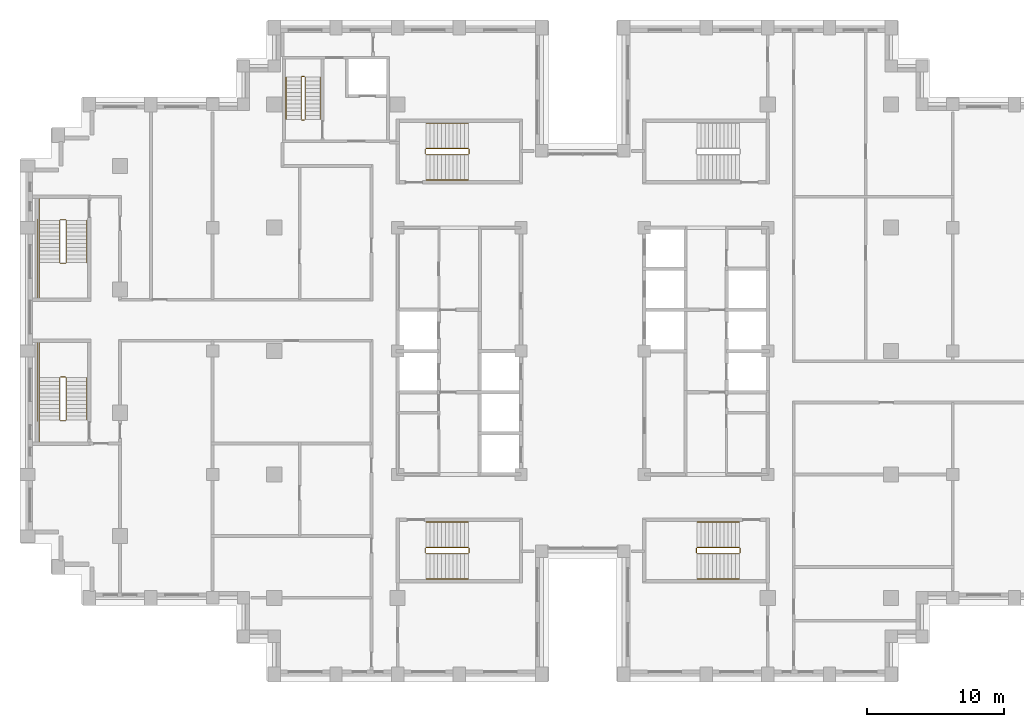
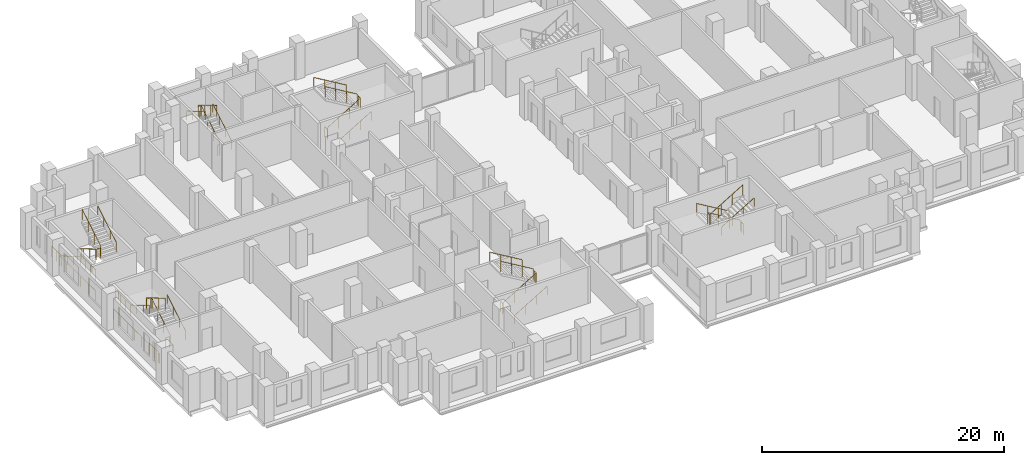
# One storey, part 14 of 15: 6 railings.
"""IFC4 building model written with IfcOpenShell, lengths in metres."""

from ifc_helpers import new_model, si_unit, direction, frame, origin, origin_2d, place, context, subcontext, project, spatial, circle, extrude, material, type_object, element, save


model = new_model("IFC4")

# Units and contexts
model_context = context("Model", 3, precision=1e-05, world=origin(), true_north=direction((0.0, 1.0)))
body_context = subcontext(model_context, "Body", "Model", "MODEL_VIEW")
ifc_project = project(units=[si_unit("LENGTHUNIT", "METRE"), si_unit("AREAUNIT", "SQUARE_METRE"), si_unit("VOLUMEUNIT", "CUBIC_METRE"), si_unit("PLANEANGLEUNIT", "RADIAN"), si_unit("MASSUNIT", "GRAM", prefix="KILO")], contexts=[model_context])

# Site, building, storey
site_placement = place(None, origin())
site = spatial("IfcSite", under=ifc_project, at=site_placement, CompositionType="ELEMENT")
building_placement = place(site_placement, origin())
building = spatial("IfcBuilding", under=site, at=building_placement, Name="Corbelhall Arena Tower", CompositionType="ELEMENT")
storey_placement = place(building_placement, frame((0.0, 0.0, 166.0)))
storey = spatial("IfcBuildingStorey", under=building, at=storey_placement, Name="L33", CompositionType="ELEMENT", Elevation=166.0)

# Railings
ifc_material = material(Name="Steel ASTM A500 Gr C", Category="steel")
railing_type = type_object("IfcRailingType", Name="IN-GD-1100", PredefinedType="GUARDRAIL", material=ifc_material)
railing_1_placement = place(storey_placement, frame((-11.425048828125, 14.324951171875, 0.166748046875)))
element("IfcRailing", 1, at=railing_1_placement, inside=storey, type_object=railing_type, Name="L33 ST1 stair guards and handrails", PredefinedType="GUARDRAIL", context=body_context, shape_type="SweptSolid", body=[
    extrude(circle(Radius=0.02392578125, at=origin_2d()), frame((0.0, 0.0, 1.076171875), z_axis=(0.859308565015, 0.0, 0.511457515432), x_axis=(0.0, 1.0, 0.0)), (0.0, 0.0, 1.0), 3.58447265625),
    extrude(circle(Radius=0.02392578125, at=origin_2d()), frame((3.130126953125, 0.050048828125, 2.9091796875), z_axis=(0.0, 1.0, 0.0), x_axis=(-1.0, 0.0, 0.0)), (0.0, 0.0, 1.0), 0.35009765625),
    extrude(circle(Radius=0.02392578125, at=origin_2d()), frame((3.080078125, 0.449951171875, 3.076171875), z_axis=(-0.859308565015, 0.0, 0.511457515432), x_axis=(0.0, -1.0, 0.0)), (0.0, 0.0, 1.0), 3.58447265625),
    extrude(circle(Radius=0.02392578125, at=origin_2d()), frame((-0.050048828125, 0.050048828125, 0.9091796875), z_axis=(0.0, 1.0, 0.0), x_axis=(-1.0, 0.0, 0.0)), (0.0, 0.0, 1.0), 0.35009765625),
    extrude(circle(Radius=0.02392578125, at=origin_2d()), frame((0.0, -1.849853515625, 0.8759765625), z_axis=(0.859308565015, 0.0, 0.511457515432), x_axis=(0.0, 1.0, 0.0)), (0.0, 0.0, 1.0), 3.58447265625),
    extrude(circle(Radius=0.02392578125, at=origin_2d()), frame((3.080078125, 2.300048828125, 2.8759765625), z_axis=(-0.859308565015, 0.0, 0.511457515432), x_axis=(0.0, -1.0, 0.0)), (0.0, 0.0, 1.0), 3.58447265625),
    extrude(circle(Radius=0.02099609375, at=origin_2d()), origin(), (0.0, 0.0, 1.0), 1.052001953125),
    extrude(circle(Radius=0.02099609375, at=origin_2d()), frame((1.026611328125, 0.0, 0.611083984375)), (0.0, 0.0, 1.0), 1.052001953125),
    extrude(circle(Radius=0.02099609375, at=origin_2d()), frame((2.053466796875, 0.0, 1.22216796875)), (0.0, 0.0, 1.0), 1.052001953125),
    extrude(circle(Radius=0.02099609375, at=origin_2d()), frame((3.080078125, 0.0, 1.833251953125)), (0.0, 0.0, 1.0), 1.052001953125),
    extrude(circle(Radius=0.02099609375, at=origin_2d()), frame((3.130126953125, 0.050048828125, 1.833251953125)), (0.0, 0.0, 1.0), 1.052001953125),
    extrude(circle(Radius=0.02099609375, at=origin_2d()), frame((3.130126953125, 0.400146484375, 1.833251953125)), (0.0, 0.0, 1.0), 1.052001953125),
    extrude(circle(Radius=0.02099609375, at=origin_2d()), frame((3.080078125, 0.449951171875, 2.0)), (0.0, 0.0, 1.0), 1.052001953125),
    extrude(circle(Radius=0.02099609375, at=origin_2d()), frame((2.053466796875, 0.449951171875, 2.611083984375)), (0.0, 0.0, 1.0), 1.052001953125),
    extrude(circle(Radius=0.02099609375, at=origin_2d()), frame((1.026611328125, 0.449951171875, 3.22216796875)), (0.0, 0.0, 1.0), 1.052001953125),
    extrude(circle(Radius=0.02099609375, at=origin_2d()), frame((0.0, 0.449951171875, 3.833251953125)), (0.0, 0.0, 1.0), 1.052001953125),
    extrude(circle(Radius=0.02099609375, at=origin_2d()), frame((-0.050048828125, 0.050048828125, -0.166748046875)), (0.0, 0.0, 1.0), 1.052001953125),
    extrude(circle(Radius=0.02099609375, at=origin_2d()), frame((-0.050048828125, 0.400146484375, -0.166748046875)), (0.0, 0.0, 1.0), 1.052001953125),
    extrude(circle(Radius=0.02099609375, at=origin_2d()), frame((0.0, -1.849853515625, 0.0)), (0.0, 0.0, 1.0), 0.851806640625),
    extrude(circle(Radius=0.02099609375, at=origin_2d()), frame((1.026611328125, -1.849853515625, 0.611083984375)), (0.0, 0.0, 1.0), 0.851806640625),
    extrude(circle(Radius=0.02099609375, at=origin_2d()), frame((2.053466796875, -1.849853515625, 1.22216796875)), (0.0, 0.0, 1.0), 0.851806640625),
    extrude(circle(Radius=0.02099609375, at=origin_2d()), frame((3.080078125, -1.849853515625, 1.833251953125)), (0.0, 0.0, 1.0), 0.851806640625),
    extrude(circle(Radius=0.02099609375, at=origin_2d()), frame((3.080078125, 2.300048828125, 2.0)), (0.0, 0.0, 1.0), 0.851806640625),
    extrude(circle(Radius=0.02099609375, at=origin_2d()), frame((2.053466796875, 2.300048828125, 2.611083984375)), (0.0, 0.0, 1.0), 0.851806640625),
    extrude(circle(Radius=0.02099609375, at=origin_2d()), frame((1.026611328125, 2.300048828125, 3.22216796875)), (0.0, 0.0, 1.0), 0.851806640625),
    extrude(circle(Radius=0.02099609375, at=origin_2d()), frame((0.0, 2.300048828125, 3.833251953125)), (0.0, 0.0, 1.0), 0.851806640625),
])
railing_2_placement = place(storey_placement, frame((-11.425048828125, -14.77490234375, 0.166748046875)))
element("IfcRailing", 2, at=railing_2_placement, inside=storey, type_object=railing_type, Name="L33 ST2 stair guards and handrails", PredefinedType="GUARDRAIL", context=body_context, shape_type="SweptSolid", body=[
    extrude(circle(Radius=0.02392578125, at=origin_2d()), frame((0.0, 0.0, 1.076171875), z_axis=(0.859308565015, 0.0, 0.511457515432), x_axis=(0.0, 1.0, 0.0)), (0.0, 0.0, 1.0), 3.58447265625),
    extrude(circle(Radius=0.02392578125, at=origin_2d()), frame((3.130126953125, 0.0498046875, 2.9091796875), z_axis=(0.0, 1.0, 0.0), x_axis=(-1.0, 0.0, 0.0)), (0.0, 0.0, 1.0), 0.35009765625),
    extrude(circle(Radius=0.02392578125, at=origin_2d()), frame((3.080078125, 0.449951171875, 3.076171875), z_axis=(-0.859308565015, 0.0, 0.511457515432), x_axis=(0.0, -1.0, 0.0)), (0.0, 0.0, 1.0), 3.58447265625),
    extrude(circle(Radius=0.02392578125, at=origin_2d()), frame((-0.050048828125, 0.0498046875, 0.9091796875), z_axis=(0.0, 1.0, 0.0), x_axis=(-1.0, 0.0, 0.0)), (0.0, 0.0, 1.0), 0.35009765625),
    extrude(circle(Radius=0.02392578125, at=origin_2d()), frame((0.0, -1.85009765625, 0.8759765625), z_axis=(0.859308565015, 0.0, 0.511457515432), x_axis=(0.0, 1.0, 0.0)), (0.0, 0.0, 1.0), 3.58447265625),
    extrude(circle(Radius=0.02392578125, at=origin_2d()), frame((3.080078125, 2.2998046875, 2.8759765625), z_axis=(-0.859308565015, 0.0, 0.511457515432), x_axis=(0.0, -1.0, 0.0)), (0.0, 0.0, 1.0), 3.58447265625),
    extrude(circle(Radius=0.02099609375, at=origin_2d()), origin(), (0.0, 0.0, 1.0), 1.052001953125),
    extrude(circle(Radius=0.02099609375, at=origin_2d()), frame((1.026611328125, 0.0, 0.611083984375)), (0.0, 0.0, 1.0), 1.052001953125),
    extrude(circle(Radius=0.02099609375, at=origin_2d()), frame((2.053466796875, 0.0, 1.22216796875)), (0.0, 0.0, 1.0), 1.052001953125),
    extrude(circle(Radius=0.02099609375, at=origin_2d()), frame((3.080078125, 0.0, 1.833251953125)), (0.0, 0.0, 1.0), 1.052001953125),
    extrude(circle(Radius=0.02099609375, at=origin_2d()), frame((3.130126953125, 0.0498046875, 1.833251953125)), (0.0, 0.0, 1.0), 1.052001953125),
    extrude(circle(Radius=0.02099609375, at=origin_2d()), frame((3.130126953125, 0.39990234375, 1.833251953125)), (0.0, 0.0, 1.0), 1.052001953125),
    extrude(circle(Radius=0.02099609375, at=origin_2d()), frame((3.080078125, 0.449951171875, 2.0)), (0.0, 0.0, 1.0), 1.052001953125),
    extrude(circle(Radius=0.02099609375, at=origin_2d()), frame((2.053466796875, 0.449951171875, 2.611083984375)), (0.0, 0.0, 1.0), 1.052001953125),
    extrude(circle(Radius=0.02099609375, at=origin_2d()), frame((1.026611328125, 0.449951171875, 3.22216796875)), (0.0, 0.0, 1.0), 1.052001953125),
    extrude(circle(Radius=0.02099609375, at=origin_2d()), frame((0.0, 0.449951171875, 3.833251953125)), (0.0, 0.0, 1.0), 1.052001953125),
    extrude(circle(Radius=0.02099609375, at=origin_2d()), frame((-0.050048828125, 0.0498046875, -0.166748046875)), (0.0, 0.0, 1.0), 1.052001953125),
    extrude(circle(Radius=0.02099609375, at=origin_2d()), frame((-0.050048828125, 0.39990234375, -0.166748046875)), (0.0, 0.0, 1.0), 1.052001953125),
    extrude(circle(Radius=0.02099609375, at=origin_2d()), frame((0.0, -1.85009765625, 0.0)), (0.0, 0.0, 1.0), 0.851806640625),
    extrude(circle(Radius=0.02099609375, at=origin_2d()), frame((1.026611328125, -1.85009765625, 0.611083984375)), (0.0, 0.0, 1.0), 0.851806640625),
    extrude(circle(Radius=0.02099609375, at=origin_2d()), frame((2.053466796875, -1.85009765625, 1.22216796875)), (0.0, 0.0, 1.0), 0.851806640625),
    extrude(circle(Radius=0.02099609375, at=origin_2d()), frame((3.080078125, -1.85009765625, 1.833251953125)), (0.0, 0.0, 1.0), 0.851806640625),
    extrude(circle(Radius=0.02099609375, at=origin_2d()), frame((3.080078125, 2.2998046875, 2.0)), (0.0, 0.0, 1.0), 0.851806640625),
    extrude(circle(Radius=0.02099609375, at=origin_2d()), frame((2.053466796875, 2.2998046875, 2.611083984375)), (0.0, 0.0, 1.0), 0.851806640625),
    extrude(circle(Radius=0.02099609375, at=origin_2d()), frame((1.026611328125, 2.2998046875, 3.22216796875)), (0.0, 0.0, 1.0), 0.851806640625),
    extrude(circle(Radius=0.02099609375, at=origin_2d()), frame((0.0, 2.2998046875, 3.833251953125)), (0.0, 0.0, 1.0), 0.851806640625),
])
railing_3_placement = place(storey_placement, frame((11.425048828125, -14.324951171875, 0.166748046875)))
element("IfcRailing", 3, at=railing_3_placement, inside=storey, type_object=railing_type, Name="L33 ST4 stair guards and handrails", PredefinedType="GUARDRAIL", context=body_context, shape_type="SweptSolid", body=[
    extrude(circle(Radius=0.02392578125, at=origin_2d()), frame((0.0, 0.0, 1.076171875), z_axis=(-0.859308565015, 0.0, 0.511457515432), x_axis=(0.0, -1.0, 0.0)), (0.0, 0.0, 1.0), 3.58447265625),
    extrude(circle(Radius=0.02392578125, at=origin_2d()), frame((-3.130126953125, -0.050048828125, 2.9091796875), z_axis=(0.0, -1.0, 0.0), x_axis=(1.0, 0.0, 0.0)), (0.0, 0.0, 1.0), 0.35009765625),
    extrude(circle(Radius=0.02392578125, at=origin_2d()), frame((-3.080078125, -0.449951171875, 3.076171875), z_axis=(0.859308565015, 0.0, 0.511457515432), x_axis=(0.0, 1.0, 0.0)), (0.0, 0.0, 1.0), 3.58447265625),
    extrude(circle(Radius=0.02392578125, at=origin_2d()), frame((0.050048828125, -0.050048828125, 0.9091796875), z_axis=(0.0, -1.0, 0.0), x_axis=(1.0, 0.0, 0.0)), (0.0, 0.0, 1.0), 0.35009765625),
    extrude(circle(Radius=0.02392578125, at=origin_2d()), frame((0.0, 1.849853515625, 0.8759765625), z_axis=(-0.859308565015, 0.0, 0.511457515432), x_axis=(0.0, -1.0, 0.0)), (0.0, 0.0, 1.0), 3.58447265625),
    extrude(circle(Radius=0.02392578125, at=origin_2d()), frame((-3.080078125, -2.300048828125, 2.8759765625), z_axis=(0.859308565015, 0.0, 0.511457515432), x_axis=(0.0, 1.0, 0.0)), (0.0, 0.0, 1.0), 3.58447265625),
    extrude(circle(Radius=0.02099609375, at=origin_2d()), origin(), (0.0, 0.0, 1.0), 1.052001953125),
    extrude(circle(Radius=0.02099609375, at=origin_2d()), frame((-1.026611328125, 0.0, 0.611083984375)), (0.0, 0.0, 1.0), 1.052001953125),
    extrude(circle(Radius=0.02099609375, at=origin_2d()), frame((-2.053466796875, 0.0, 1.22216796875)), (0.0, 0.0, 1.0), 1.052001953125),
    extrude(circle(Radius=0.02099609375, at=origin_2d()), frame((-3.080078125, 0.0, 1.833251953125)), (0.0, 0.0, 1.0), 1.052001953125),
    extrude(circle(Radius=0.02099609375, at=origin_2d()), frame((-3.130126953125, -0.050048828125, 1.833251953125)), (0.0, 0.0, 1.0), 1.052001953125),
    extrude(circle(Radius=0.02099609375, at=origin_2d()), frame((-3.130126953125, -0.400146484375, 1.833251953125)), (0.0, 0.0, 1.0), 1.052001953125),
    extrude(circle(Radius=0.02099609375, at=origin_2d()), frame((-3.080078125, -0.449951171875, 2.0)), (0.0, 0.0, 1.0), 1.052001953125),
    extrude(circle(Radius=0.02099609375, at=origin_2d()), frame((-2.053466796875, -0.449951171875, 2.611083984375)), (0.0, 0.0, 1.0), 1.052001953125),
    extrude(circle(Radius=0.02099609375, at=origin_2d()), frame((-1.026611328125, -0.449951171875, 3.22216796875)), (0.0, 0.0, 1.0), 1.052001953125),
    extrude(circle(Radius=0.02099609375, at=origin_2d()), frame((0.0, -0.449951171875, 3.833251953125)), (0.0, 0.0, 1.0), 1.052001953125),
    extrude(circle(Radius=0.02099609375, at=origin_2d()), frame((0.050048828125, -0.050048828125, -0.166748046875)), (0.0, 0.0, 1.0), 1.052001953125),
    extrude(circle(Radius=0.02099609375, at=origin_2d()), frame((0.050048828125, -0.400146484375, -0.166748046875)), (0.0, 0.0, 1.0), 1.052001953125),
    extrude(circle(Radius=0.02099609375, at=origin_2d()), frame((0.0, 1.849853515625, 0.0)), (0.0, 0.0, 1.0), 0.851806640625),
    extrude(circle(Radius=0.02099609375, at=origin_2d()), frame((-1.026611328125, 1.849853515625, 0.611083984375)), (0.0, 0.0, 1.0), 0.851806640625),
    extrude(circle(Radius=0.02099609375, at=origin_2d()), frame((-2.053466796875, 1.849853515625, 1.22216796875)), (0.0, 0.0, 1.0), 0.851806640625),
    extrude(circle(Radius=0.02099609375, at=origin_2d()), frame((-3.080078125, 1.849853515625, 1.833251953125)), (0.0, 0.0, 1.0), 0.851806640625),
    extrude(circle(Radius=0.02099609375, at=origin_2d()), frame((-3.080078125, -2.300048828125, 2.0)), (0.0, 0.0, 1.0), 0.851806640625),
    extrude(circle(Radius=0.02099609375, at=origin_2d()), frame((-2.053466796875, -2.300048828125, 2.611083984375)), (0.0, 0.0, 1.0), 0.851806640625),
    extrude(circle(Radius=0.02099609375, at=origin_2d()), frame((-1.026611328125, -2.300048828125, 3.22216796875)), (0.0, 0.0, 1.0), 0.851806640625),
    extrude(circle(Radius=0.02099609375, at=origin_2d()), frame((0.0, -2.300048828125, 3.833251953125)), (0.0, 0.0, 1.0), 0.851806640625),
])
railing_4_placement = place(storey_placement, frame((-38.14990234375, 9.52490234375, 0.166748046875)))
element("IfcRailing", 4, at=railing_4_placement, inside=storey, type_object=railing_type, Name="L33 SC1 stair guards and handrails", PredefinedType="GUARDRAIL", context=body_context, shape_type="SweptSolid", body=[
    extrude(circle(Radius=0.02392578125, at=origin_2d()), frame((0.0, 0.0, 1.076171875), z_axis=(0.0, -0.859290745958, 0.51148745235), x_axis=(1.0, 0.0, 0.0)), (0.0, 0.0, 1.0), 3.584228515625),
    extrude(circle(Radius=0.02392578125, at=origin_2d()), frame((0.0498046875, -3.1298828125, 2.9091796875), z_axis=(1.0, 0.0, 0.0), x_axis=(0.0, 1.0, 0.0)), (0.0, 0.0, 1.0), 0.375),
    extrude(circle(Radius=0.02392578125, at=origin_2d()), frame((-1.5, -3.079833984375, 2.9091796875), z_axis=(0.0, -1.0, 0.0), x_axis=(1.0, 0.0, 0.0)), (0.0, 0.0, 1.0), 2.570068359375),
    extrude(circle(Radius=0.02392578125, at=origin_2d()), frame((0.474853515625, -3.079833984375, 3.076171875), z_axis=(0.0, 0.859290745958, 0.51148745235), x_axis=(-1.0, 0.0, 0.0)), (0.0, 0.0, 1.0), 3.584228515625),
    extrude(circle(Radius=0.02392578125, at=origin_2d()), frame((0.0498046875, 0.050048828125, 0.9091796875), z_axis=(1.0, 0.0, 0.0), x_axis=(0.0, 1.0, 0.0)), (0.0, 0.0, 1.0), 0.375),
    extrude(circle(Radius=0.02392578125, at=origin_2d()), frame((-1.5, 1.60009765625, 0.9091796875), z_axis=(0.0, -1.0, 0.0), x_axis=(1.0, 0.0, 0.0)), (0.0, 0.0, 1.0), 1.60009765625),
    extrude(circle(Radius=0.02392578125, at=origin_2d()), frame((-1.60009765625, 0.10009765625, 0.9091796875), z_axis=(0.0, -1.0, 0.0), x_axis=(1.0, 0.0, 0.0)), (0.0, 0.0, 1.0), 5.85009765625),
    extrude(circle(Radius=0.02392578125, at=origin_2d()), frame((-1.5, 0.0, 0.8759765625), z_axis=(0.0, -0.859290745958, 0.51148745235), x_axis=(1.0, 0.0, 0.0)), (0.0, 0.0, 1.0), 3.584228515625),
    extrude(circle(Radius=0.02392578125, at=origin_2d()), frame((1.974853515625, -3.079833984375, 2.8759765625), z_axis=(0.0, 0.859290745958, 0.51148745235), x_axis=(-1.0, 0.0, 0.0)), (0.0, 0.0, 1.0), 3.584228515625),
    extrude(circle(Radius=0.02099609375, at=origin_2d()), origin(), (0.0, 0.0, 1.0), 1.052001953125),
    extrude(circle(Radius=0.02099609375, at=origin_2d()), frame((0.0, -1.026611328125, 0.611083984375)), (0.0, 0.0, 1.0), 1.052001953125),
    extrude(circle(Radius=0.02099609375, at=origin_2d()), frame((0.0, -2.05322265625, 1.22216796875)), (0.0, 0.0, 1.0), 1.052001953125),
    extrude(circle(Radius=0.02099609375, at=origin_2d()), frame((0.0, -3.079833984375, 1.833251953125)), (0.0, 0.0, 1.0), 1.052001953125),
    extrude(circle(Radius=0.02099609375, at=origin_2d()), frame((0.0498046875, -3.1298828125, 1.833251953125)), (0.0, 0.0, 1.0), 1.052001953125),
    extrude(circle(Radius=0.02099609375, at=origin_2d()), frame((0.4248046875, -3.1298828125, 1.833251953125)), (0.0, 0.0, 1.0), 1.052001953125),
    extrude(circle(Radius=0.02099609375, at=origin_2d()), frame((-1.5, -3.079833984375, 1.833251953125)), (0.0, 0.0, 1.0), 1.052001953125),
    extrude(circle(Radius=0.02099609375, at=origin_2d()), frame((-1.5, -3.9365234375, 1.833251953125)), (0.0, 0.0, 1.0), 1.052001953125),
    extrude(circle(Radius=0.02099609375, at=origin_2d()), frame((-1.5, -4.793212890625, 1.833251953125)), (0.0, 0.0, 1.0), 1.052001953125),
    extrude(circle(Radius=0.02099609375, at=origin_2d()), frame((-1.5, -5.64990234375, 1.833251953125)), (0.0, 0.0, 1.0), 1.052001953125),
    extrude(circle(Radius=0.02099609375, at=origin_2d()), frame((0.474853515625, -3.079833984375, 2.0)), (0.0, 0.0, 1.0), 1.052001953125),
    extrude(circle(Radius=0.02099609375, at=origin_2d()), frame((0.474853515625, -2.05322265625, 2.611083984375)), (0.0, 0.0, 1.0), 1.052001953125),
    extrude(circle(Radius=0.02099609375, at=origin_2d()), frame((0.474853515625, -1.026611328125, 3.22216796875)), (0.0, 0.0, 1.0), 1.052001953125),
    extrude(circle(Radius=0.02099609375, at=origin_2d()), frame((0.474853515625, 0.0, 3.833251953125)), (0.0, 0.0, 1.0), 1.052001953125),
    extrude(circle(Radius=0.02099609375, at=origin_2d()), frame((0.0498046875, 0.050048828125, -0.166748046875)), (0.0, 0.0, 1.0), 1.052001953125),
    extrude(circle(Radius=0.02099609375, at=origin_2d()), frame((0.4248046875, 0.050048828125, -0.166748046875)), (0.0, 0.0, 1.0), 1.052001953125),
    extrude(circle(Radius=0.02099609375, at=origin_2d()), frame((-1.5, 1.60009765625, -0.166748046875)), (0.0, 0.0, 1.0), 1.052001953125),
    extrude(circle(Radius=0.02099609375, at=origin_2d()), frame((-1.5, 0.800048828125, -0.166748046875)), (0.0, 0.0, 1.0), 1.052001953125),
    extrude(circle(Radius=0.02099609375, at=origin_2d()), frame((-1.5, 0.0, -0.166748046875)), (0.0, 0.0, 1.0), 1.052001953125),
    extrude(circle(Radius=0.02099609375, at=origin_2d()), frame((-1.60009765625, 0.10009765625, -0.166748046875)), (0.0, 0.0, 1.0), 1.052001953125),
    extrude(circle(Radius=0.02099609375, at=origin_2d()), frame((-1.60009765625, -1.06982421875, -0.166748046875)), (0.0, 0.0, 1.0), 1.052001953125),
    extrude(circle(Radius=0.02099609375, at=origin_2d()), frame((-1.60009765625, -2.239990234375, -0.166748046875)), (0.0, 0.0, 1.0), 1.052001953125),
    extrude(circle(Radius=0.02099609375, at=origin_2d()), frame((-1.60009765625, -3.409912109375, -0.166748046875)), (0.0, 0.0, 1.0), 1.052001953125),
    extrude(circle(Radius=0.02099609375, at=origin_2d()), frame((-1.60009765625, -4.580078125, -0.166748046875)), (0.0, 0.0, 1.0), 1.052001953125),
    extrude(circle(Radius=0.02099609375, at=origin_2d()), frame((-1.60009765625, -5.75, -0.166748046875)), (0.0, 0.0, 1.0), 1.052001953125),
    extrude(circle(Radius=0.02099609375, at=origin_2d()), frame((-1.5, 0.0, 0.0)), (0.0, 0.0, 1.0), 0.851806640625),
    extrude(circle(Radius=0.02099609375, at=origin_2d()), frame((-1.5, -1.026611328125, 0.611083984375)), (0.0, 0.0, 1.0), 0.851806640625),
    extrude(circle(Radius=0.02099609375, at=origin_2d()), frame((-1.5, -2.05322265625, 1.22216796875)), (0.0, 0.0, 1.0), 0.851806640625),
    extrude(circle(Radius=0.02099609375, at=origin_2d()), frame((1.974853515625, -3.079833984375, 2.0)), (0.0, 0.0, 1.0), 0.851806640625),
    extrude(circle(Radius=0.02099609375, at=origin_2d()), frame((1.974853515625, -2.05322265625, 2.611083984375)), (0.0, 0.0, 1.0), 0.851806640625),
    extrude(circle(Radius=0.02099609375, at=origin_2d()), frame((1.974853515625, -1.026611328125, 3.22216796875)), (0.0, 0.0, 1.0), 0.851806640625),
    extrude(circle(Radius=0.02099609375, at=origin_2d()), frame((1.974853515625, 0.0, 3.833251953125)), (0.0, 0.0, 1.0), 0.851806640625),
])
railing_5_placement = place(storey_placement, frame((-37.675048828125, -5.02490234375, 0.166748046875)))
element("IfcRailing", 5, at=railing_5_placement, inside=storey, type_object=railing_type, Name="L33 SC2 stair guards and handrails", PredefinedType="GUARDRAIL", context=body_context, shape_type="SweptSolid", body=[
    extrude(circle(Radius=0.02392578125, at=origin_2d()), frame((0.0, 0.0, 1.076171875), z_axis=(0.0, 0.859290745958, 0.51148745235), x_axis=(-1.0, 0.0, 0.0)), (0.0, 0.0, 1.0), 3.584228515625),
    extrude(circle(Radius=0.02392578125, at=origin_2d()), frame((-0.050048828125, 3.1298828125, 2.9091796875), z_axis=(-1.0, 0.0, 0.0), x_axis=(0.0, -1.0, 0.0)), (0.0, 0.0, 1.0), 0.375),
    extrude(circle(Radius=0.02392578125, at=origin_2d()), frame((-1.974853515625, 3.079833984375, 2.9091796875), z_axis=(0.0, 1.0, 0.0), x_axis=(-1.0, 0.0, 0.0)), (0.0, 0.0, 1.0), 2.570068359375),
    extrude(circle(Radius=0.02392578125, at=origin_2d()), frame((-0.474853515625, 3.079833984375, 3.076171875), z_axis=(0.0, -0.859290745958, 0.51148745235), x_axis=(1.0, 0.0, 0.0)), (0.0, 0.0, 1.0), 3.584228515625),
    extrude(circle(Radius=0.02392578125, at=origin_2d()), frame((-0.050048828125, -0.050048828125, 0.9091796875), z_axis=(-1.0, 0.0, 0.0), x_axis=(0.0, -1.0, 0.0)), (0.0, 0.0, 1.0), 0.375),
    extrude(circle(Radius=0.02392578125, at=origin_2d()), frame((-1.974853515625, -1.60009765625, 0.9091796875), z_axis=(0.0, 1.0, 0.0), x_axis=(-1.0, 0.0, 0.0)), (0.0, 0.0, 1.0), 1.60009765625),
    extrude(circle(Radius=0.02392578125, at=origin_2d()), frame((-2.074951171875, -0.10009765625, 0.9091796875), z_axis=(0.0, 1.0, 0.0), x_axis=(-1.0, 0.0, 0.0)), (0.0, 0.0, 1.0), 5.85009765625),
    extrude(circle(Radius=0.02392578125, at=origin_2d()), frame((1.5, 0.0, 0.8759765625), z_axis=(0.0, 0.859290745958, 0.51148745235), x_axis=(-1.0, 0.0, 0.0)), (0.0, 0.0, 1.0), 3.584228515625),
    extrude(circle(Radius=0.02392578125, at=origin_2d()), frame((-1.974853515625, 3.079833984375, 2.8759765625), z_axis=(0.0, -0.859290745958, 0.51148745235), x_axis=(1.0, 0.0, 0.0)), (0.0, 0.0, 1.0), 3.584228515625),
    extrude(circle(Radius=0.02099609375, at=origin_2d()), origin(), (0.0, 0.0, 1.0), 1.052001953125),
    extrude(circle(Radius=0.02099609375, at=origin_2d()), frame((0.0, 1.026611328125, 0.611083984375)), (0.0, 0.0, 1.0), 1.052001953125),
    extrude(circle(Radius=0.02099609375, at=origin_2d()), frame((0.0, 2.05322265625, 1.22216796875)), (0.0, 0.0, 1.0), 1.052001953125),
    extrude(circle(Radius=0.02099609375, at=origin_2d()), frame((0.0, 3.079833984375, 1.833251953125)), (0.0, 0.0, 1.0), 1.052001953125),
    extrude(circle(Radius=0.02099609375, at=origin_2d()), frame((-0.050048828125, 3.1298828125, 1.833251953125)), (0.0, 0.0, 1.0), 1.052001953125),
    extrude(circle(Radius=0.02099609375, at=origin_2d()), frame((-0.425048828125, 3.1298828125, 1.833251953125)), (0.0, 0.0, 1.0), 1.052001953125),
    extrude(circle(Radius=0.02099609375, at=origin_2d()), frame((-1.974853515625, 3.079833984375, 1.833251953125)), (0.0, 0.0, 1.0), 1.052001953125),
    extrude(circle(Radius=0.02099609375, at=origin_2d()), frame((-1.974853515625, 3.9365234375, 1.833251953125)), (0.0, 0.0, 1.0), 1.052001953125),
    extrude(circle(Radius=0.02099609375, at=origin_2d()), frame((-1.974853515625, 4.793212890625, 1.833251953125)), (0.0, 0.0, 1.0), 1.052001953125),
    extrude(circle(Radius=0.02099609375, at=origin_2d()), frame((-1.974853515625, 5.64990234375, 1.833251953125)), (0.0, 0.0, 1.0), 1.052001953125),
    extrude(circle(Radius=0.02099609375, at=origin_2d()), frame((-0.474853515625, 3.079833984375, 2.0)), (0.0, 0.0, 1.0), 1.052001953125),
    extrude(circle(Radius=0.02099609375, at=origin_2d()), frame((-0.474853515625, 2.05322265625, 2.611083984375)), (0.0, 0.0, 1.0), 1.052001953125),
    extrude(circle(Radius=0.02099609375, at=origin_2d()), frame((-0.474853515625, 1.026611328125, 3.22216796875)), (0.0, 0.0, 1.0), 1.052001953125),
    extrude(circle(Radius=0.02099609375, at=origin_2d()), frame((-0.474853515625, 0.0, 3.833251953125)), (0.0, 0.0, 1.0), 1.052001953125),
    extrude(circle(Radius=0.02099609375, at=origin_2d()), frame((-0.050048828125, -0.050048828125, -0.166748046875)), (0.0, 0.0, 1.0), 1.052001953125),
    extrude(circle(Radius=0.02099609375, at=origin_2d()), frame((-0.425048828125, -0.050048828125, -0.166748046875)), (0.0, 0.0, 1.0), 1.052001953125),
    extrude(circle(Radius=0.02099609375, at=origin_2d()), frame((-1.974853515625, -1.60009765625, -0.166748046875)), (0.0, 0.0, 1.0), 1.052001953125),
    extrude(circle(Radius=0.02099609375, at=origin_2d()), frame((-1.974853515625, -0.800048828125, -0.166748046875)), (0.0, 0.0, 1.0), 1.052001953125),
    extrude(circle(Radius=0.02099609375, at=origin_2d()), frame((-1.974853515625, 0.0, -0.166748046875)), (0.0, 0.0, 1.0), 1.052001953125),
    extrude(circle(Radius=0.02099609375, at=origin_2d()), frame((-2.074951171875, -0.10009765625, -0.166748046875)), (0.0, 0.0, 1.0), 1.052001953125),
    extrude(circle(Radius=0.02099609375, at=origin_2d()), frame((-2.074951171875, 1.06982421875, -0.166748046875)), (0.0, 0.0, 1.0), 1.052001953125),
    extrude(circle(Radius=0.02099609375, at=origin_2d()), frame((-2.074951171875, 2.239990234375, -0.166748046875)), (0.0, 0.0, 1.0), 1.052001953125),
    extrude(circle(Radius=0.02099609375, at=origin_2d()), frame((-2.074951171875, 3.409912109375, -0.166748046875)), (0.0, 0.0, 1.0), 1.052001953125),
    extrude(circle(Radius=0.02099609375, at=origin_2d()), frame((-2.074951171875, 4.580078125, -0.166748046875)), (0.0, 0.0, 1.0), 1.052001953125),
    extrude(circle(Radius=0.02099609375, at=origin_2d()), frame((-2.074951171875, 5.75, -0.166748046875)), (0.0, 0.0, 1.0), 1.052001953125),
    extrude(circle(Radius=0.02099609375, at=origin_2d()), frame((1.5, 0.0, 0.0)), (0.0, 0.0, 1.0), 0.851806640625),
    extrude(circle(Radius=0.02099609375, at=origin_2d()), frame((1.5, 1.026611328125, 0.611083984375)), (0.0, 0.0, 1.0), 0.851806640625),
    extrude(circle(Radius=0.02099609375, at=origin_2d()), frame((1.5, 2.05322265625, 1.22216796875)), (0.0, 0.0, 1.0), 0.851806640625),
    extrude(circle(Radius=0.02099609375, at=origin_2d()), frame((1.5, 3.079833984375, 1.833251953125)), (0.0, 0.0, 1.0), 0.851806640625),
    extrude(circle(Radius=0.02099609375, at=origin_2d()), frame((-1.974853515625, 3.079833984375, 2.0)), (0.0, 0.0, 1.0), 0.851806640625),
    extrude(circle(Radius=0.02099609375, at=origin_2d()), frame((-1.974853515625, 2.05322265625, 2.611083984375)), (0.0, 0.0, 1.0), 0.851806640625),
    extrude(circle(Radius=0.02099609375, at=origin_2d()), frame((-1.974853515625, 1.026611328125, 3.22216796875)), (0.0, 0.0, 1.0), 0.851806640625),
    extrude(circle(Radius=0.02099609375, at=origin_2d()), frame((-1.974853515625, 0.0, 3.833251953125)), (0.0, 0.0, 1.0), 0.851806640625),
])
railing_6_placement = place(storey_placement, frame((-20.2451171875, 16.89990234375, 0.166748046875)))
element("IfcRailing", 6, at=railing_6_placement, inside=storey, type_object=railing_type, Name="L33 ST5 stair guards and handrails", PredefinedType="GUARDRAIL", context=body_context, shape_type="SweptSolid", body=[
    extrude(circle(Radius=0.02392578125, at=origin_2d()), frame((0.0, 0.0, 1.076171875), z_axis=(0.0, 0.859308565015, 0.511457515432), x_axis=(-1.0, 0.0, 0.0)), (0.0, 0.0, 1.0), 3.58447265625),
    extrude(circle(Radius=0.02392578125, at=origin_2d()), frame((-0.0498046875, 3.130126953125, 2.9091796875), z_axis=(-1.0, 0.0, 0.0), x_axis=(0.0, -1.0, 0.0)), (0.0, 0.0, 1.0), 0.2001953125),
    extrude(circle(Radius=0.02392578125, at=origin_2d()), frame((-0.2998046875, 3.080078125, 3.076171875), z_axis=(0.0, -0.859308565015, 0.511457515432), x_axis=(1.0, 0.0, 0.0)), (0.0, 0.0, 1.0), 3.58447265625),
    extrude(circle(Radius=0.02392578125, at=origin_2d()), frame((-0.0498046875, -0.0498046875, 0.9091796875), z_axis=(-1.0, 0.0, 0.0), x_axis=(0.0, -1.0, 0.0)), (0.0, 0.0, 1.0), 0.2001953125),
    extrude(circle(Radius=0.02392578125, at=origin_2d()), frame((1.10009765625, 0.0, 0.8759765625), z_axis=(0.0, 0.859308565015, 0.511457515432), x_axis=(-1.0, 0.0, 0.0)), (0.0, 0.0, 1.0), 3.58447265625),
    extrude(circle(Radius=0.02392578125, at=origin_2d()), frame((-1.39990234375, 3.080078125, 2.8759765625), z_axis=(0.0, -0.859308565015, 0.511457515432), x_axis=(1.0, 0.0, 0.0)), (0.0, 0.0, 1.0), 3.58447265625),
    extrude(circle(Radius=0.02099609375, at=origin_2d()), origin(), (0.0, 0.0, 1.0), 1.052001953125),
    extrude(circle(Radius=0.02099609375, at=origin_2d()), frame((0.0, 1.026611328125, 0.611083984375)), (0.0, 0.0, 1.0), 1.052001953125),
    extrude(circle(Radius=0.02099609375, at=origin_2d()), frame((0.0, 2.053466796875, 1.22216796875)), (0.0, 0.0, 1.0), 1.052001953125),
    extrude(circle(Radius=0.02099609375, at=origin_2d()), frame((0.0, 3.080078125, 1.833251953125)), (0.0, 0.0, 1.0), 1.052001953125),
    extrude(circle(Radius=0.02099609375, at=origin_2d()), frame((-0.0498046875, 3.130126953125, 1.833251953125)), (0.0, 0.0, 1.0), 1.052001953125),
    extrude(circle(Radius=0.02099609375, at=origin_2d()), frame((-0.25, 3.130126953125, 1.833251953125)), (0.0, 0.0, 1.0), 1.052001953125),
    extrude(circle(Radius=0.02099609375, at=origin_2d()), frame((-0.2998046875, 3.080078125, 2.0)), (0.0, 0.0, 1.0), 1.052001953125),
    extrude(circle(Radius=0.02099609375, at=origin_2d()), frame((-0.2998046875, 2.053466796875, 2.611083984375)), (0.0, 0.0, 1.0), 1.052001953125),
    extrude(circle(Radius=0.02099609375, at=origin_2d()), frame((-0.2998046875, 1.026611328125, 3.22216796875)), (0.0, 0.0, 1.0), 1.052001953125),
    extrude(circle(Radius=0.02099609375, at=origin_2d()), frame((-0.2998046875, 0.0, 3.833251953125)), (0.0, 0.0, 1.0), 1.052001953125),
    extrude(circle(Radius=0.02099609375, at=origin_2d()), frame((-0.0498046875, -0.0498046875, -0.166748046875)), (0.0, 0.0, 1.0), 1.052001953125),
    extrude(circle(Radius=0.02099609375, at=origin_2d()), frame((-0.25, -0.0498046875, -0.166748046875)), (0.0, 0.0, 1.0), 1.052001953125),
    extrude(circle(Radius=0.02099609375, at=origin_2d()), frame((1.10009765625, 0.0, 0.0)), (0.0, 0.0, 1.0), 0.851806640625),
    extrude(circle(Radius=0.02099609375, at=origin_2d()), frame((1.10009765625, 1.026611328125, 0.611083984375)), (0.0, 0.0, 1.0), 0.851806640625),
    extrude(circle(Radius=0.02099609375, at=origin_2d()), frame((1.10009765625, 2.053466796875, 1.22216796875)), (0.0, 0.0, 1.0), 0.851806640625),
    extrude(circle(Radius=0.02099609375, at=origin_2d()), frame((1.10009765625, 3.080078125, 1.833251953125)), (0.0, 0.0, 1.0), 0.851806640625),
    extrude(circle(Radius=0.02099609375, at=origin_2d()), frame((-1.39990234375, 3.080078125, 2.0)), (0.0, 0.0, 1.0), 0.851806640625),
    extrude(circle(Radius=0.02099609375, at=origin_2d()), frame((-1.39990234375, 2.053466796875, 2.611083984375)), (0.0, 0.0, 1.0), 0.851806640625),
    extrude(circle(Radius=0.02099609375, at=origin_2d()), frame((-1.39990234375, 1.026611328125, 3.22216796875)), (0.0, 0.0, 1.0), 0.851806640625),
    extrude(circle(Radius=0.02099609375, at=origin_2d()), frame((-1.39990234375, 0.0, 3.833251953125)), (0.0, 0.0, 1.0), 0.851806640625),
])

save(model, "model.ifc")
